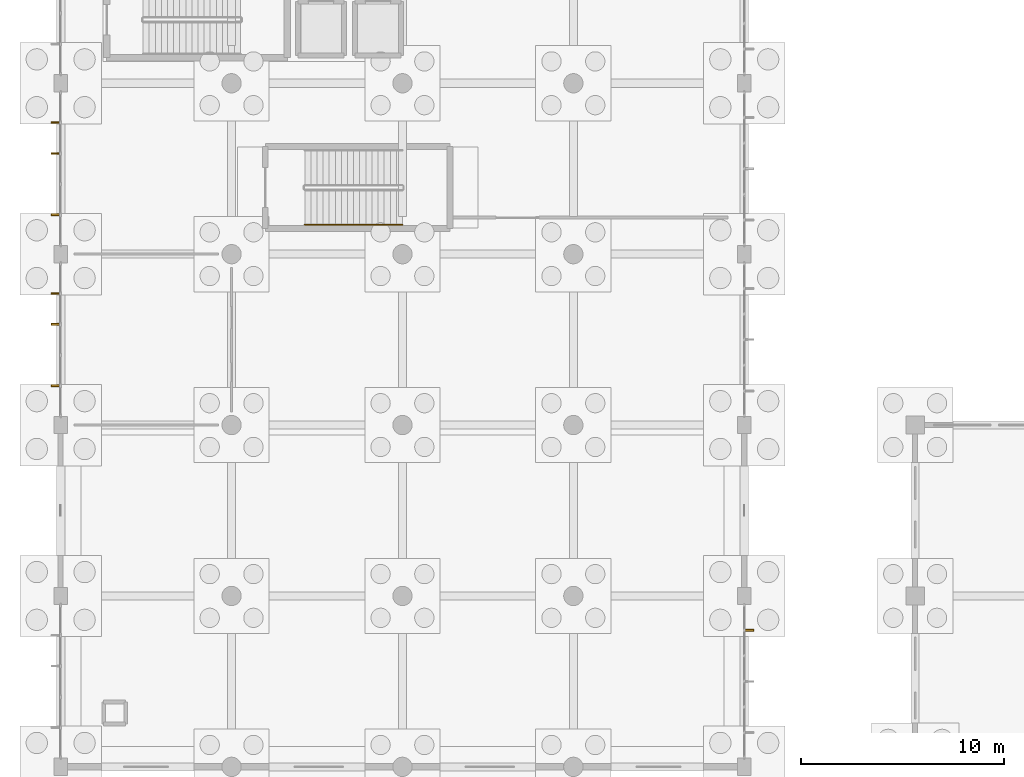
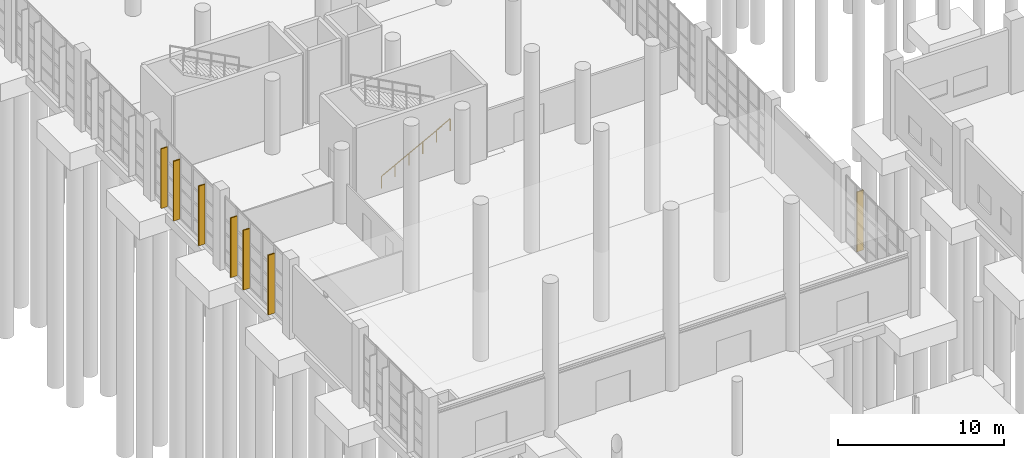
# One storey, part 65 of 83: 7 shading devices, 1 railing.
"""IFC4 building model written with IfcOpenShell, lengths in metres."""

from ifc_helpers import new_model, si_unit, direction, frame, origin, origin_2d, place, context, subcontext, project, spatial, rectangle, circle, extrude, material, type_object, element, save


model = new_model("IFC4")

# Units and contexts
model_context = context("Model", 3, precision=1e-05, world=origin(), true_north=direction((0.0, 1.0)))
body_context = subcontext(model_context, "Body", "Model", "MODEL_VIEW")
ifc_project = project(units=[si_unit("LENGTHUNIT", "METRE"), si_unit("AREAUNIT", "SQUARE_METRE"), si_unit("VOLUMEUNIT", "CUBIC_METRE"), si_unit("PLANEANGLEUNIT", "RADIAN"), si_unit("MASSUNIT", "GRAM", prefix="KILO"), si_unit("THERMODYNAMICTEMPERATUREUNIT", "KELVIN"), si_unit("POWERUNIT", "WATT")], contexts=[model_context])

# Site, building, storey
site_placement = place(None, origin())
site = spatial("IfcSite", under=ifc_project, at=site_placement, CompositionType="ELEMENT")
building_placement = place(site_placement, origin())
building = spatial("IfcBuilding", under=site, at=building_placement, Name="Mavoryth Pier Ferry Terminal", CompositionType="ELEMENT")
storey_placement = place(building_placement, origin())
storey = spatial("IfcBuildingStorey", under=building, at=storey_placement, Name="L00", CompositionType="ELEMENT", Elevation=0.0)

# Shading devices
ifc_material_1 = material(Name="Anodised Aluminium Solar-Shading Fin", Category="aluminium")
shading_device_type = type_object("IfcShadingDeviceType", Name="Fin-BriseSoleil-450x80x4400", PredefinedType="SHUTTER", material=ifc_material_1)
for number, where, z_axis, x_axis, name in (
    (1, (33.84912109375, 28.716796875, 0.0), (0.0, 0.0, 1.0), (0.0, 1.0, 0.0), "Solar Shading Fin 6"),
    (2, (-0.2490234375, 45.264892578125, 0.0), (0.0, 0.0, 1.0), (0.0, -1.0, 0.0), "Solar Shading Fin 7"),
    (3, (-0.2490234375, 43.7548828125, 0.0), (0.0, 0.0, 1.0), (0.0, -1.0, 0.0), "Solar Shading Fin 8"),
    (4, (-0.2490234375, 40.735107421875, 0.0), (0.0, 0.0, 1.0), (0.0, -1.0, 0.0), "Solar Shading Fin 9"),
    (5, (-0.2490234375, 53.6650390625, 0.0), (0.0, 0.0, 1.0), (0.0, -1.0, 0.0), "Solar Shading Fin 13"),
    (6, (-0.2490234375, 52.155029296875, 0.0), (0.0, 0.0, 1.0), (0.0, -1.0, 0.0), "Solar Shading Fin 14"),
    (7, (-0.2490234375, 49.135009765625, 0.0), (0.0, 0.0, 1.0), (0.0, -1.0, 0.0), "Solar Shading Fin 15"),
):
    element("IfcShadingDevice", number, at=place(storey_placement, frame(where, z_axis=z_axis, x_axis=x_axis)), inside=storey, type_object=shading_device_type, Name=name, PredefinedType="SHUTTER", context=body_context, shape_type="SweptSolid", body=[
        extrude(rectangle(XDim=0.080078125, YDim=0.449951171875, at=origin_2d()), origin(), (0.0, 0.0, 1.0), 4.39990234375),
    ])

# Railing
ifc_material_2 = material(Name="Brushed Stainless Steel Tubular Handrail", Category="steel")
railing_type = type_object("IfcRailingType", Name="Handrail-Stair-SS900", PredefinedType="HANDRAIL", material=ifc_material_2)
railing_placement = place(storey_placement, frame((12.0, 48.64990234375, 0.159912109375)))
element("IfcRailing", 8, at=railing_placement, inside=storey, type_object=railing_type, Name="L00 ST13 stair handrail 1", PredefinedType="HANDRAIL", context=body_context, shape_type="SweptSolid", body=[
    extrude(circle(Radius=0.02392578125, at=origin_2d()), frame((0.0, 0.0, 0.8759765625), z_axis=(0.882350456557, 0.0, 0.470592893925), x_axis=(0.0, 1.0, 0.0)), (0.0, 0.0, 1.0), 5.440185546875),
    extrude(circle(Radius=0.02099609375, at=origin_2d()), origin(), (0.0, 0.0, 1.0), 0.851806640625),
    extrude(circle(Radius=0.02099609375, at=origin_2d()), frame((0.9599609375, 0.0, 0.511962890625)), (0.0, 0.0, 1.0), 0.851806640625),
    extrude(circle(Radius=0.02099609375, at=origin_2d()), frame((1.919921875, 0.0, 1.02392578125)), (0.0, 0.0, 1.0), 0.851806640625),
    extrude(circle(Radius=0.02099609375, at=origin_2d()), frame((2.880126953125, 0.0, 1.5361328125)), (0.0, 0.0, 1.0), 0.851806640625),
    extrude(circle(Radius=0.02099609375, at=origin_2d()), frame((3.840087890625, 0.0, 2.048095703125)), (0.0, 0.0, 1.0), 0.851806640625),
    extrude(circle(Radius=0.02099609375, at=origin_2d()), frame((4.800048828125, 0.0, 2.56005859375)), (0.0, 0.0, 1.0), 0.851806640625),
])

save(model, "model.ifc")
